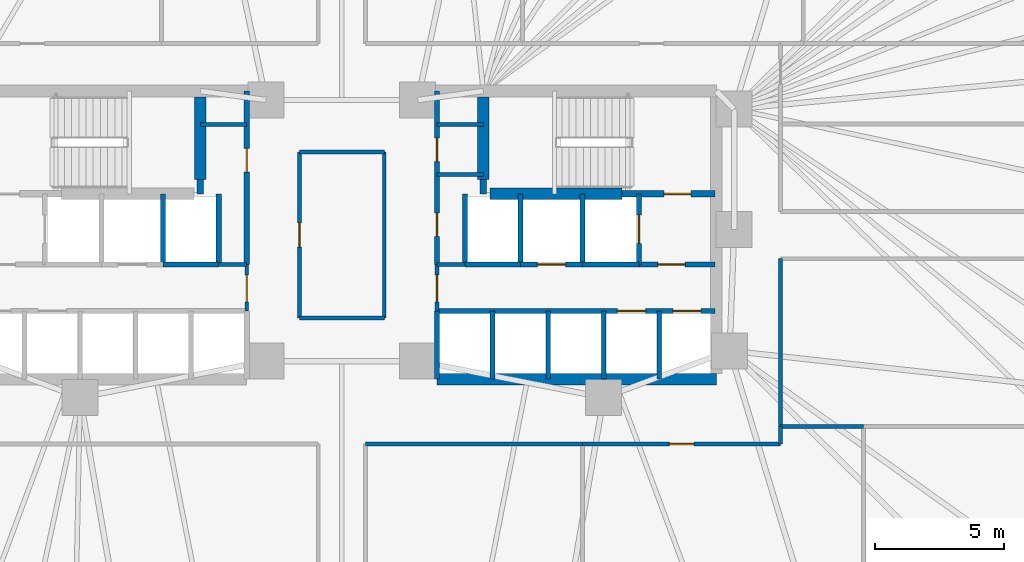
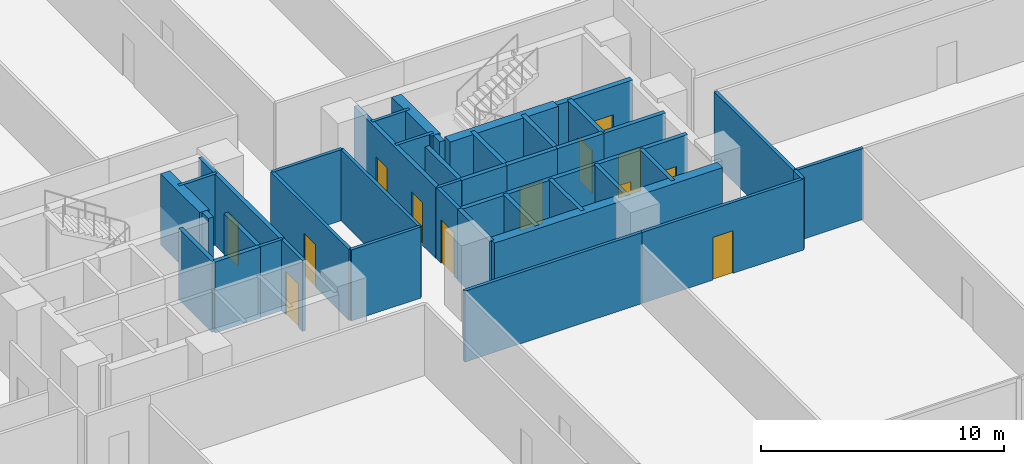
# One storey, part 13 of 17: 42 walls, 13 doors, 13 openings.
"""IFC4 building model written with IfcOpenShell, lengths in metres."""

from ifc_helpers import new_model, si_unit, direction, frame, frame_2d, origin, place, context, subcontext, project, spatial, rectangle, extrude, material, layer, layer_set, type_object, element, fill, save


model = new_model("IFC4")

# Units and contexts
model_context = context("Model", 3, precision=1e-05, world=origin(), true_north=direction((0.0, 1.0)))
body_context = subcontext(model_context, "Body", "Model", "MODEL_VIEW")
ifc_project = project(units=[si_unit("LENGTHUNIT", "METRE"), si_unit("AREAUNIT", "SQUARE_METRE"), si_unit("VOLUMEUNIT", "CUBIC_METRE"), si_unit("PLANEANGLEUNIT", "RADIAN"), si_unit("MASSUNIT", "GRAM", prefix="KILO")], contexts=[model_context])

# Site, building, storey
site_placement = place(None, origin())
site = spatial("IfcSite", under=ifc_project, at=site_placement, CompositionType="ELEMENT")
building_placement = place(site_placement, origin())
building = spatial("IfcBuilding", under=site, at=building_placement, Name="Menara Jurai Vektor", CompositionType="ELEMENT")
storey_placement = place(building_placement, frame((0.0, 0.0, 25.60009765625)))
storey = spatial("IfcBuildingStorey", under=building, at=storey_placement, Name="L05", CompositionType="ELEMENT", Elevation=25.60009765625)

# Wall
ifc_material_1 = material(Name="Concrete C40/50", Category="concrete")
ifc_layer_1 = layer(ifc_material_1, 0.25)
ifc_layer_set_1 = layer_set([ifc_layer_1], Name="Concrete C40/50")
wall_type_1 = type_object("IfcWallType", Name="INT-WALL-CORE-250", PredefinedType="STANDARD", material=ifc_layer_set_1)
wall_1_placement = place(storey_placement, frame((-5.5, 1.60009765625, 0.0), z_axis=(0.0, 0.0, 1.0), x_axis=(0.0, 1.0, 0.0)))
element("IfcWall", 1, at=wall_1_placement, inside=storey, type_object=wall_type_1, Name="Interior Wall IW-250 L05", PredefinedType="STANDARD", context=body_context, shape_type="SweptSolid", body=[
    extrude(rectangle(XDim=0.5498046875, YDim=0.25, at=frame_2d((0.27490234375, 0.0))), origin(), (0.0, 0.0, 1.0), 3.574951171875),
])

# Wall, opening, door
wall_2_placement = place(storey_placement, frame((10.89990234375, 1.60009765625, 0.0), z_axis=(0.0, 0.0, 1.0), x_axis=(1.0, 0.0, 0.0)))
wall_2 = element("IfcWall", 2, at=wall_2_placement, inside=storey, type_object=wall_type_1, Name="Interior Wall IW-250 L05", PredefinedType="STANDARD", context=body_context, shape_type="SweptSolid", body=[
    extrude(rectangle(XDim=3.60009765625, YDim=0.25, at=frame_2d((1.800048828125, 0.0))), origin(), (0.0, 0.0, 1.0), 3.574951171875),
])
opening_1_placement = place(wall_2_placement, frame((1.6201171875, 0.0, 0.0)))
opening_1 = element("IfcOpeningElement", 3, at=opening_1_placement, cuts=wall_2, Name="Opening D-L05-ST2", PredefinedType="OPENING", context=body_context, shape_type="SweptSolid", body=[
    extrude(rectangle(XDim=1.050048828125, YDim=2.14990234375, at=frame_2d((0.52490234375, 1.074951171875))), frame((0.0, 0.135009765625, 0.0), z_axis=(0.0, -1.0, 0.0), x_axis=(1.0, 0.0, 0.0)), (0.0, 0.0, 1.0), 0.27001953125),
])
ifc_material_2 = material(Name="Fire-Rated Steel Door", Category="steel")
door_type_1 = type_object("IfcDoorType", Name="DR-STAIR-1050", OperationType="NOTDEFINED", PredefinedType="DOOR", material=ifc_material_2)
door_1_placement = place(opening_1_placement, origin())
door_1 = element("IfcDoor", 4, at=door_1_placement, inside=storey, type_object=door_type_1, Name="Exit Stair ST2 Door L05", OperationType="SINGLE_SWING_LEFT", OverallHeight=2.14990234375, OverallWidth=1.050048828125, PredefinedType="DOOR", context=body_context, shape_type="SweptSolid", body=[
    extrude(rectangle(XDim=1.050048828125, YDim=2.14990234375, at=frame_2d((0.52490234375, 1.074951171875))), frame((0.0, 0.02490234375, 0.0), z_axis=(0.0, -1.0, 0.0), x_axis=(1.0, 0.0, 0.0)), (0.0, 0.0, 1.0), 0.050048828125),
])
fill(opening_1, door_1)

# Wall
wall_3_placement = place(storey_placement, frame((5.5, 1.60009765625, 0.0), z_axis=(0.0, 0.0, 1.0), x_axis=(0.0, 1.0, 0.0)))
element("IfcWall", 5, at=wall_3_placement, inside=storey, type_object=wall_type_1, Name="Interior Wall IW-250 L05", PredefinedType="STANDARD", context=body_context, shape_type="SweptSolid", body=[
    extrude(rectangle(XDim=0.5498046875, YDim=0.25, at=frame_2d((0.27490234375, 0.0))), origin(), (0.0, 0.0, 1.0), 3.574951171875),
])

# Wall, opening, door
wall_4_placement = place(storey_placement, frame((11.550048828125, -1.14990234375, 0.0), z_axis=(0.0, 0.0, 1.0), x_axis=(0.0, 1.0, 0.0)))
wall_4 = element("IfcWall", 6, at=wall_4_placement, inside=storey, type_object=wall_type_1, Name="Interior Wall IW-250 L05", PredefinedType="STANDARD", context=body_context, shape_type="SweptSolid", body=[
    extrude(rectangle(XDim=2.75, YDim=0.199951171875, at=frame_2d((1.375, 0.0))), origin(), (0.0, 0.0, 1.0), 3.574951171875),
])
opening_2_placement = place(wall_4_placement, frame((0.824951171875, 0.0, 0.0)))
opening_2 = element("IfcOpeningElement", 7, at=opening_2_placement, cuts=wall_4, Name="Opening LD-L05-FL2", PredefinedType="OPENING", context=body_context, shape_type="SweptSolid", body=[
    extrude(rectangle(XDim=1.10009765625, YDim=2.14990234375, at=frame_2d((0.550048828125, 1.074951171875))), frame((0.0, 0.10986328125, 0.0), z_axis=(0.0, -1.0, 0.0), x_axis=(1.0, 0.0, 0.0)), (0.0, 0.0, 1.0), 0.219970703125),
])
ifc_material_3 = material(Name="Stainless Steel Sliding Lift Landing Door", Category="steel")
door_type_2 = type_object("IfcDoorType", Name="DR-LIFT-FIRE-1100", OperationType="NOTDEFINED", PredefinedType="DOOR", material=ifc_material_3)
door_2_placement = place(opening_2_placement, origin())
door_2 = element("IfcDoor", 8, at=door_2_placement, inside=storey, type_object=door_type_2, Name="Lift Landing Door FL2 L05", OperationType="SLIDING_TO_RIGHT", OverallHeight=2.14990234375, OverallWidth=1.10009765625, PredefinedType="DOOR", context=body_context, shape_type="SweptSolid", body=[
    extrude(rectangle(XDim=1.10009765625, YDim=2.14990234375, at=frame_2d((0.550048828125, 1.074951171875))), frame((0.0, 0.02490234375, 0.0), z_axis=(0.0, -1.0, 0.0), x_axis=(1.0, 0.0, 0.0)), (0.0, 0.0, 1.0), 0.050048828125),
])
fill(opening_2, door_2)

# Wall
wall_5_placement = place(storey_placement, frame((9.35009765625, -1.14990234375, 0.0), z_axis=(0.0, 0.0, 1.0), x_axis=(0.0, 1.0, 0.0)))
element("IfcWall", 9, at=wall_5_placement, inside=storey, type_object=wall_type_1, Name="Interior Wall IW-250 L05", PredefinedType="STANDARD", context=body_context, shape_type="SweptSolid", body=[
    extrude(rectangle(XDim=2.75, YDim=0.199951171875, at=frame_2d((1.375, 0.0))), origin(), (0.0, 0.0, 1.0), 3.574951171875),
])

# Wall, opening, door
wall_6_placement = place(storey_placement, frame((11.550048828125, -1.14990234375, 0.0), z_axis=(0.0, 0.0, 1.0), x_axis=(1.0, 0.0, 0.0)))
wall_6 = element("IfcWall", 10, at=wall_6_placement, inside=storey, type_object=wall_type_1, Name="Interior Wall IW-250 L05", PredefinedType="STANDARD", context=body_context, shape_type="SweptSolid", body=[
    extrude(rectangle(XDim=2.949951171875, YDim=0.199951171875, at=frame_2d((1.47509765625, 0.0))), origin(), (0.0, 0.0, 1.0), 3.574951171875),
])
opening_3_placement = place(wall_6_placement, frame((0.75, 0.0, 0.0)))
opening_3 = element("IfcOpeningElement", 11, at=opening_3_placement, cuts=wall_6, Name="Opening D-L05-FFE", PredefinedType="OPENING", context=body_context, shape_type="SweptSolid", body=[
    extrude(rectangle(XDim=1.050048828125, YDim=2.179931640625, at=frame_2d((0.52490234375, 1.08984375))), frame((0.0, 0.10986328125, 0.0), z_axis=(0.0, -1.0, 0.0), x_axis=(1.0, 0.0, 0.0)), (0.0, 0.0, 1.0), 0.219970703125),
])
ifc_material_4 = material(Name="Fire-Rated Timber Door", Category="wood")
door_type_3 = type_object("IfcDoorType", Name="DR-LOBBY-1050", OperationType="NOTDEFINED", PredefinedType="DOOR", material=ifc_material_4)
door_3_placement = place(opening_3_placement, origin())
door_3 = element("IfcDoor", 12, at=door_3_placement, inside=storey, type_object=door_type_3, Name="Fire Lift Lobby Door E L05", OperationType="SINGLE_SWING_LEFT", OverallHeight=2.179931640625, OverallWidth=1.050048828125, PredefinedType="DOOR", context=body_context, shape_type="SweptSolid", body=[
    extrude(rectangle(XDim=1.050048828125, YDim=2.179931640625, at=frame_2d((0.52490234375, 1.08984375))), frame((0.0, 0.02490234375, 0.0), z_axis=(0.0, -1.0, 0.0), x_axis=(1.0, 0.0, 0.0)), (0.0, 0.0, 1.0), 0.050048828125),
])
fill(opening_3, door_3)

# Wall
wall_7_placement = place(storey_placement, frame((9.35009765625, -1.14990234375, 0.0), z_axis=(0.0, 0.0, 1.0), x_axis=(1.0, 0.0, 0.0)))
element("IfcWall", 13, at=wall_7_placement, inside=storey, type_object=wall_type_1, Name="Interior Wall IW-250 L05", PredefinedType="STANDARD", context=body_context, shape_type="SweptSolid", body=[
    extrude(rectangle(XDim=2.199951171875, YDim=0.199951171875, at=frame_2d((1.10009765625, 0.0))), origin(), (0.0, 0.0, 1.0), 3.574951171875),
])

# Wall, opening, door
ifc_material_5 = material(Name="Gypsum Fireboard Partition", Category="gypsum")
ifc_layer_2 = layer(ifc_material_5, 0.14990234375)
ifc_layer_set_2 = layer_set([ifc_layer_2], Name="Gypsum Fireboard Partition")
wall_type_2 = type_object("IfcWallType", Name="INT-WALL-CORR-150", PredefinedType="PARTITIONING", material=ifc_layer_set_2)
wall_8_placement = place(storey_placement, frame((-3.699951171875, -2.949951171875, 0.0), z_axis=(0.0, 0.0, 1.0), x_axis=(0.0, 1.0, 0.0)))
wall_8 = element("IfcWall", 14, at=wall_8_placement, inside=storey, type_object=wall_type_2, Name="Interior Wall IW-150 L05", PredefinedType="PARTITIONING", context=body_context, shape_type="SweptSolid", body=[
    extrude(rectangle(XDim=1.800048828125, YDim=0.14990234375, at=frame_2d((0.89990234375, 0.0))), origin(), (0.0, 0.0, 1.0), 3.574951171875),
])
opening_4_placement = place(wall_8_placement, frame((0.35009765625, 0.0, 0.0)))
opening_4 = element("IfcOpeningElement", 15, at=opening_4_placement, cuts=wall_8, Name="Opening D-L05-LLW", PredefinedType="OPENING", context=body_context, shape_type="SweptSolid", body=[
    extrude(rectangle(XDim=1.050048828125, YDim=2.179931640625, at=frame_2d((0.52490234375, 1.08984375))), frame((0.0, 0.0849609375, 0.0), z_axis=(0.0, -1.0, 0.0), x_axis=(1.0, 0.0, 0.0)), (0.0, 0.0, 1.0), 0.169921875),
])
door_4_placement = place(opening_4_placement, origin())
door_4 = element("IfcDoor", 16, at=door_4_placement, inside=storey, type_object=door_type_3, Name="Lift Lobby Corridor Door W L05", OperationType="SINGLE_SWING_LEFT", OverallHeight=2.179931640625, OverallWidth=1.050048828125, PredefinedType="DOOR", context=body_context, shape_type="SweptSolid", body=[
    extrude(rectangle(XDim=1.050048828125, YDim=2.179931640625, at=frame_2d((0.52490234375, 1.08984375))), frame((0.0, 0.02490234375, 0.0), z_axis=(0.0, -1.0, 0.0), x_axis=(1.0, 0.0, 0.0)), (0.0, 0.0, 1.0), 0.050048828125),
])
fill(opening_4, door_4)

# Wall
wall_9_placement = place(storey_placement, frame((-4.7900390625, -1.14990234375, 0.0), z_axis=(0.0, 0.0, 1.0), x_axis=(1.0, 0.0, 0.0)))
element("IfcWall", 17, at=wall_9_placement, inside=storey, type_object=wall_type_2, Name="Interior Wall IW-150 L05", PredefinedType="PARTITIONING", context=body_context, shape_type="SweptSolid", body=[
    extrude(rectangle(XDim=1.090087890625, YDim=0.14990234375, at=frame_2d((0.544921875, 0.0))), origin(), (0.0, 0.0, 1.0), 3.574951171875),
])

# Wall, opening, door
wall_10_placement = place(storey_placement, frame((3.699951171875, -2.949951171875, 0.0), z_axis=(0.0, 0.0, 1.0), x_axis=(0.0, 1.0, 0.0)))
wall_10 = element("IfcWall", 18, at=wall_10_placement, inside=storey, type_object=wall_type_2, Name="Interior Wall IW-150 L05", PredefinedType="PARTITIONING", context=body_context, shape_type="SweptSolid", body=[
    extrude(rectangle(XDim=1.800048828125, YDim=0.14990234375, at=frame_2d((0.89990234375, 0.0))), origin(), (0.0, 0.0, 1.0), 3.574951171875),
])
opening_5_placement = place(wall_10_placement, frame((0.35009765625, 0.0, 0.0)))
opening_5 = element("IfcOpeningElement", 19, at=opening_5_placement, cuts=wall_10, Name="Opening D-L05-LLE", PredefinedType="OPENING", context=body_context, shape_type="SweptSolid", body=[
    extrude(rectangle(XDim=1.050048828125, YDim=2.179931640625, at=frame_2d((0.52490234375, 1.08984375))), frame((0.0, 0.0849609375, 0.0), z_axis=(0.0, -1.0, 0.0), x_axis=(1.0, 0.0, 0.0)), (0.0, 0.0, 1.0), 0.169921875),
])
door_5_placement = place(opening_5_placement, frame((1.050048828125, 0.0, 0.0), z_axis=(0.0, 0.0, 1.0), x_axis=(-1.0, 0.0, 0.0)))
door_5 = element("IfcDoor", 20, at=door_5_placement, inside=storey, type_object=door_type_3, Name="Lift Lobby Corridor Door E L05", OperationType="SINGLE_SWING_RIGHT", OverallHeight=2.179931640625, OverallWidth=1.050048828125, PredefinedType="DOOR", context=body_context, shape_type="SweptSolid", body=[
    extrude(rectangle(XDim=1.050048828125, YDim=2.179931640625, at=frame_2d((0.52490234375, 1.08984375))), frame((0.0, 0.02490234375, 0.0), z_axis=(0.0, -1.0, 0.0), x_axis=(1.0, 0.0, 0.0)), (0.0, 0.0, 1.0), 0.050048828125),
])
fill(opening_5, door_5)

# Walls
wall_11_placement = place(storey_placement, frame((3.699951171875, -1.14990234375, 0.0), z_axis=(0.0, 0.0, 1.0), x_axis=(1.0, 0.0, 0.0)))
element("IfcWall", 21, at=wall_11_placement, inside=storey, type_object=wall_type_2, Name="Interior Wall IW-150 L05", PredefinedType="PARTITIONING", context=body_context, shape_type="SweptSolid", body=[
    extrude(rectangle(XDim=1.090087890625, YDim=0.14990234375, at=frame_2d((0.544921875, 0.0))), origin(), (0.0, 0.0, 1.0), 3.574951171875),
])
for number, where, z_axis, x_axis, name in (
    (22, (-5.5, 4.300048828125, 0.0), (0.0, 0.0, 1.0), (1.0, 0.0, 0.0), "Interior Wall IW-150 L05"),
    (23, (3.699951171875, 4.300048828125, 0.0), (0.0, 0.0, 1.0), (1.0, 0.0, 0.0), "Interior Wall IW-150 L05"),
    (24, (3.699951171875, 2.35009765625, 0.0), (0.0, 0.0, 1.0), (1.0, 0.0, 0.0), "Interior Wall IW-150 L05"),
):
    element("IfcWall", number, at=place(storey_placement, frame(where, z_axis=z_axis, x_axis=x_axis)), inside=storey, type_object=wall_type_2, Name=name, PredefinedType="PARTITIONING", context=body_context, shape_type="SweptSolid", body=[
        extrude(rectangle(XDim=1.800048828125, YDim=0.14990234375, at=frame_2d((0.89990234375, 0.0))), origin(), (0.0, 0.0, 1.0), 3.574951171875),
    ])

# Wall, opening, door
wall_12_placement = place(storey_placement, frame((-1.64990234375, -3.22998046875, 0.0), z_axis=(0.0, 0.0, 1.0), x_axis=(0.0, 1.0, 0.0)))
wall_12 = element("IfcWall", 25, at=wall_12_placement, inside=storey, type_object=wall_type_2, Name="Interior Wall IW-150 L05", PredefinedType="PARTITIONING", context=body_context, shape_type="SweptSolid", body=[
    extrude(rectangle(XDim=6.4599609375, YDim=0.14990234375, at=frame_2d((3.22998046875, 0.0))), origin(), (0.0, 0.0, 1.0), 3.574951171875),
])
opening_6_placement = place(wall_12_placement, frame((2.7548828125, 0.0, 0.0)))
opening_6 = element("IfcOpeningElement", 26, at=opening_6_placement, cuts=wall_12, Name="Opening D05-04", PredefinedType="OPENING", context=body_context, shape_type="SweptSolid", body=[
    extrude(rectangle(XDim=0.949951171875, YDim=2.14990234375, at=frame_2d((0.47509765625, 1.074951171875))), frame((0.0, 0.0849609375, 0.0), z_axis=(0.0, -1.0, 0.0), x_axis=(1.0, 0.0, 0.0)), (0.0, 0.0, 1.0), 0.169921875),
])
ifc_material_6 = material(Name="Solid Core Timber Fire Door", Category="wood")
door_type_4 = type_object("IfcDoorType", Name="DR-ENTRY-950", OperationType="NOTDEFINED", PredefinedType="DOOR", material=ifc_material_6)
door_6_placement = place(opening_6_placement, origin())
door_6 = element("IfcDoor", 27, at=door_6_placement, inside=storey, type_object=door_type_4, Name="Interior Door D05-04", OperationType="SINGLE_SWING_LEFT", OverallHeight=2.14990234375, OverallWidth=0.949951171875, PredefinedType="DOOR", context=body_context, shape_type="SweptSolid", body=[
    extrude(rectangle(XDim=0.949951171875, YDim=2.14990234375, at=frame_2d((0.47509765625, 1.074951171875))), frame((0.0, 0.02490234375, 0.0), z_axis=(0.0, -1.0, 0.0), x_axis=(1.0, 0.0, 0.0)), (0.0, 0.0, 1.0), 0.050048828125),
])
fill(opening_6, door_6)

# Walls
for number, where, z_axis, x_axis, name in (
    (28, (-1.64990234375, -3.22998046875, 0.0), (0.0, 0.0, 1.0), (1.0, 0.0, 0.0), "Interior Wall IW-150 L05"),
    (29, (-1.64990234375, 3.22998046875, 0.0), (0.0, 0.0, 1.0), (1.0, 0.0, 0.0), "Interior Wall IW-150 L05"),
):
    element("IfcWall", number, at=place(storey_placement, frame(where, z_axis=z_axis, x_axis=x_axis)), inside=storey, type_object=wall_type_2, Name=name, PredefinedType="PARTITIONING", context=body_context, shape_type="SweptSolid", body=[
        extrude(rectangle(XDim=3.2998046875, YDim=0.14990234375, at=frame_2d((1.64990234375, 0.0))), origin(), (0.0, 0.0, 1.0), 3.574951171875),
    ])
wall_13_placement = place(storey_placement, frame((1.64990234375, -3.22998046875, 0.0), z_axis=(0.0, 0.0, 1.0), x_axis=(0.0, 1.0, 0.0)))
element("IfcWall", 30, at=wall_13_placement, inside=storey, type_object=wall_type_2, Name="Interior Wall IW-150 L05", PredefinedType="PARTITIONING", context=body_context, shape_type="SweptSolid", body=[
    extrude(rectangle(XDim=6.4599609375, YDim=0.14990234375, at=frame_2d((3.22998046875, 0.0))), origin(), (0.0, 0.0, 1.0), 3.574951171875),
])
wall_14_placement = place(storey_placement, frame((0.919921875, -8.1298828125, 0.0), z_axis=(0.0, 0.0, 1.0), x_axis=(1.0, 0.0, 0.0)))
element("IfcWall", 31, at=wall_14_placement, inside=storey, type_object=wall_type_2, Name="Interior Wall IW-150 L05", PredefinedType="PARTITIONING", context=body_context, shape_type="SweptSolid", body=[
    extrude(rectangle(XDim=8.440185546875, YDim=0.14990234375, at=frame_2d((4.22021484375, 0.0))), origin(), (0.0, 0.0, 1.0), 3.574951171875),
])

# Wall, opening, door
wall_15_placement = place(storey_placement, frame((9.360107421875, -8.1298828125, 0.0), z_axis=(0.0, 0.0, 1.0), x_axis=(1.0, 0.0, 0.0)))
wall_15 = element("IfcWall", 32, at=wall_15_placement, inside=storey, type_object=wall_type_2, Name="Interior Wall IW-150 L05", PredefinedType="PARTITIONING", context=body_context, shape_type="SweptSolid", body=[
    extrude(rectangle(XDim=7.698974609375, YDim=0.14990234375, at=frame_2d((3.849609375, 0.0))), origin(), (0.0, 0.0, 1.0), 3.574951171875),
])
opening_7_placement = place(wall_15_placement, frame((3.37451171875, 0.0, 0.0)))
opening_7 = element("IfcOpeningElement", 33, at=opening_7_placement, cuts=wall_15, Name="Opening D05-12", PredefinedType="OPENING", context=body_context, shape_type="SweptSolid", body=[
    extrude(rectangle(XDim=0.949951171875, YDim=2.14990234375, at=frame_2d((0.47509765625, 1.074951171875))), frame((0.0, 0.0849609375, 0.0), z_axis=(0.0, -1.0, 0.0), x_axis=(1.0, 0.0, 0.0)), (0.0, 0.0, 1.0), 0.169921875),
])
door_7_placement = place(opening_7_placement, origin())
door_7 = element("IfcDoor", 34, at=door_7_placement, inside=storey, type_object=door_type_4, Name="Interior Door D05-12", OperationType="SINGLE_SWING_LEFT", OverallHeight=2.14990234375, OverallWidth=0.949951171875, PredefinedType="DOOR", context=body_context, shape_type="SweptSolid", body=[
    extrude(rectangle(XDim=0.949951171875, YDim=2.14990234375, at=frame_2d((0.47509765625, 1.074951171875))), frame((0.0, 0.02490234375, 0.0), z_axis=(0.0, -1.0, 0.0), x_axis=(1.0, 0.0, 0.0)), (0.0, 0.0, 1.0), 0.050048828125),
])
fill(opening_7, door_7)

# Walls
wall_16_placement = place(storey_placement, frame((17.05908203125, -8.1298828125, 0.0), z_axis=(0.0, 0.0, 1.0), x_axis=(0.0, 1.0, 0.0)))
element("IfcWall", 35, at=wall_16_placement, inside=storey, type_object=wall_type_2, Name="Interior Wall IW-150 L05", PredefinedType="PARTITIONING", context=body_context, shape_type="SweptSolid", body=[
    extrude(rectangle(XDim=0.679931640625, YDim=0.14990234375, at=frame_2d((0.33984375, 0.0))), origin(), (0.0, 0.0, 1.0), 3.574951171875),
])
wall_17_placement = place(storey_placement, frame((17.05908203125, -7.449951171875, 0.0), z_axis=(0.0, 0.0, 1.0), x_axis=(0.0, 1.0, 0.0)))
element("IfcWall", 36, at=wall_17_placement, inside=storey, type_object=wall_type_2, Name="Interior Wall IW-150 L05", PredefinedType="PARTITIONING", context=body_context, shape_type="SweptSolid", body=[
    extrude(rectangle(XDim=6.530029296875, YDim=0.14990234375, at=frame_2d((3.26513671875, 0.0))), origin(), (0.0, 0.0, 1.0), 3.574951171875),
])
wall_18_placement = place(storey_placement, frame((17.05908203125, -7.449951171875, 0.0), z_axis=(0.0, 0.0, 1.0), x_axis=(1.0, 0.0, 0.0)))
element("IfcWall", 37, at=wall_18_placement, inside=storey, type_object=wall_type_2, Name="Interior Wall IW-150 L05", PredefinedType="PARTITIONING", context=body_context, shape_type="SweptSolid", body=[
    extrude(rectangle(XDim=3.220947265625, YDim=0.14990234375, at=frame_2d((1.6103515625, 0.0))), origin(), (0.0, 0.0, 1.0), 3.574951171875),
])

# Wall, opening, door
ifc_layer_3 = layer(ifc_material_1, 0.199951171875)
ifc_layer_set_3 = layer_set([ifc_layer_3], Name="Concrete C40/50")
wall_type_3 = type_object("IfcWallType", Name="INT-WALL-SHAFT-200", PredefinedType="STANDARD", material=ifc_layer_set_3)
wall_19_placement = place(storey_placement, frame((-3.699951171875, -1.14990234375, 0.0), z_axis=(0.0, 0.0, 1.0), x_axis=(0.0, 1.0, 0.0)))
wall_19 = element("IfcWall", 38, at=wall_19_placement, inside=storey, type_object=wall_type_3, Name="Interior Wall IW-200 L05", PredefinedType="STANDARD", context=body_context, shape_type="SweptSolid", body=[
    extrude(rectangle(XDim=6.75, YDim=0.199951171875, at=frame_2d((3.375, 0.0))), origin(), (0.0, 0.0, 1.0), 3.574951171875),
])
opening_8_placement = place(wall_19_placement, frame((3.60009765625, 0.0, 0.0)))
opening_8 = element("IfcOpeningElement", 39, at=opening_8_placement, cuts=wall_19, Name="Opening D05-01", PredefinedType="OPENING", context=body_context, shape_type="SweptSolid", body=[
    extrude(rectangle(XDim=0.919921875, YDim=2.14990234375, at=frame_2d((0.4599609375, 1.074951171875))), frame((0.0, 0.10986328125, 0.0), z_axis=(0.0, -1.0, 0.0), x_axis=(1.0, 0.0, 0.0)), (0.0, 0.0, 1.0), 0.219970703125),
])
door_8_placement = place(opening_8_placement, origin())
door_8 = element("IfcDoor", 40, at=door_8_placement, inside=storey, type_object=door_type_4, Name="Interior Door D05-01", OperationType="SINGLE_SWING_LEFT", OverallHeight=2.14990234375, OverallWidth=0.919921875, PredefinedType="DOOR", context=body_context, shape_type="SweptSolid", body=[
    extrude(rectangle(XDim=0.919921875, YDim=2.14990234375, at=frame_2d((0.4599609375, 1.074951171875))), frame((0.0, 0.02490234375, 0.0), z_axis=(0.0, -1.0, 0.0), x_axis=(1.0, 0.0, 0.0)), (0.0, 0.0, 1.0), 0.050048828125),
])
fill(opening_8, door_8)

# Walls
for number, where, z_axis, x_axis, name in (
    (41, (-6.949951171875, -1.14990234375, 0.0), (0.0, 0.0, 1.0), (0.0, 1.0, 0.0), "Interior Wall IW-200 L05"),
    (42, (-4.7900390625, -1.14990234375, 0.0), (0.0, 0.0, 1.0), (0.0, 1.0, 0.0), "Interior Wall IW-200 L05"),
):
    element("IfcWall", number, at=place(storey_placement, frame(where, z_axis=z_axis, x_axis=x_axis)), inside=storey, type_object=wall_type_3, Name=name, PredefinedType="STANDARD", context=body_context, shape_type="SweptSolid", body=[
        extrude(rectangle(XDim=2.75, YDim=0.199951171875, at=frame_2d((1.375, 0.0))), origin(), (0.0, 0.0, 1.0), 3.574951171875),
    ])
wall_20_placement = place(storey_placement, frame((-6.949951171875, -1.14990234375, 0.0), z_axis=(0.0, 0.0, 1.0), x_axis=(1.0, 0.0, 0.0)))
element("IfcWall", 43, at=wall_20_placement, inside=storey, type_object=wall_type_3, Name="Interior Wall IW-200 L05", PredefinedType="STANDARD", context=body_context, shape_type="SweptSolid", body=[
    extrude(rectangle(XDim=2.159912109375, YDim=0.199951171875, at=frame_2d((1.080078125, 0.0))), origin(), (0.0, 0.0, 1.0), 3.574951171875),
])

# Wall, openings, doors
wall_21_placement = place(storey_placement, frame((3.699951171875, -1.14990234375, 0.0), z_axis=(0.0, 0.0, 1.0), x_axis=(0.0, 1.0, 0.0)))
wall_21 = element("IfcWall", 44, at=wall_21_placement, inside=storey, type_object=wall_type_3, Name="Interior Wall IW-200 L05", PredefinedType="STANDARD", context=body_context, shape_type="SweptSolid", body=[
    extrude(rectangle(XDim=6.75, YDim=0.199951171875, at=frame_2d((3.375, 0.0))), origin(), (0.0, 0.0, 1.0), 3.574951171875),
])
opening_9_placement = place(wall_21_placement, frame((1.10009765625, 0.0, 0.0)))
opening_9 = element("IfcOpeningElement", 45, at=opening_9_placement, cuts=wall_21, Name="Opening D05-02", PredefinedType="OPENING", context=body_context, shape_type="SweptSolid", body=[
    extrude(rectangle(XDim=0.89990234375, YDim=2.14990234375, at=frame_2d((0.449951171875, 1.074951171875))), frame((0.0, 0.10986328125, 0.0), z_axis=(0.0, -1.0, 0.0), x_axis=(1.0, 0.0, 0.0)), (0.0, 0.0, 1.0), 0.219970703125),
])
opening_10_placement = place(wall_21_placement, frame((4.0, 0.0, 0.0)))
opening_10 = element("IfcOpeningElement", 46, at=opening_10_placement, cuts=wall_21, Name="Opening D05-03", PredefinedType="OPENING", context=body_context, shape_type="SweptSolid", body=[
    extrude(rectangle(XDim=0.919921875, YDim=2.14990234375, at=frame_2d((0.4599609375, 1.074951171875))), frame((0.0, 0.10986328125, 0.0), z_axis=(0.0, -1.0, 0.0), x_axis=(1.0, 0.0, 0.0)), (0.0, 0.0, 1.0), 0.219970703125),
])
door_9_placement = place(opening_9_placement, origin())
door_9 = element("IfcDoor", 47, at=door_9_placement, inside=storey, type_object=door_type_4, Name="Interior Door D05-02", OperationType="SINGLE_SWING_RIGHT", OverallHeight=2.14990234375, OverallWidth=0.89990234375, PredefinedType="DOOR", context=body_context, shape_type="SweptSolid", body=[
    extrude(rectangle(XDim=0.89990234375, YDim=2.14990234375, at=frame_2d((0.449951171875, 1.074951171875))), frame((0.0, 0.02490234375, 0.0), z_axis=(0.0, -1.0, 0.0), x_axis=(1.0, 0.0, 0.0)), (0.0, 0.0, 1.0), 0.050048828125),
])
fill(opening_9, door_9)
door_10_placement = place(opening_10_placement, origin())
door_10 = element("IfcDoor", 48, at=door_10_placement, inside=storey, type_object=door_type_4, Name="Interior Door D05-03", OperationType="SINGLE_SWING_RIGHT", OverallHeight=2.14990234375, OverallWidth=0.919921875, PredefinedType="DOOR", context=body_context, shape_type="SweptSolid", body=[
    extrude(rectangle(XDim=0.919921875, YDim=2.14990234375, at=frame_2d((0.4599609375, 1.074951171875))), frame((0.0, 0.02490234375, 0.0), z_axis=(0.0, -1.0, 0.0), x_axis=(1.0, 0.0, 0.0)), (0.0, 0.0, 1.0), 0.050048828125),
])
fill(opening_10, door_10)

# Walls
wall_22_placement = place(storey_placement, frame((3.699951171875, -5.60009765625, 0.0), z_axis=(0.0, 0.0, 1.0), x_axis=(0.0, 1.0, 0.0)))
element("IfcWall", 49, at=wall_22_placement, inside=storey, type_object=wall_type_3, Name="Interior Wall IW-200 L05", PredefinedType="STANDARD", context=body_context, shape_type="SweptSolid", body=[
    extrude(rectangle(XDim=2.650146484375, YDim=0.199951171875, at=frame_2d((1.3251953125, 0.0))), origin(), (0.0, 0.0, 1.0), 3.574951171875),
])
wall_23_placement = place(storey_placement, frame((6.949951171875, -1.14990234375, 0.0), z_axis=(0.0, 0.0, 1.0), x_axis=(0.0, 1.0, 0.0)))
element("IfcWall", 50, at=wall_23_placement, inside=storey, type_object=wall_type_3, Name="Interior Wall IW-200 L05", PredefinedType="STANDARD", context=body_context, shape_type="SweptSolid", body=[
    extrude(rectangle(XDim=2.75, YDim=0.199951171875, at=frame_2d((1.375, 0.0))), origin(), (0.0, 0.0, 1.0), 3.574951171875),
])

# Wall, opening, door
wall_24_placement = place(storey_placement, frame((6.949951171875, -1.14990234375, 0.0), z_axis=(0.0, 0.0, 1.0), x_axis=(1.0, 0.0, 0.0)))
wall_24 = element("IfcWall", 51, at=wall_24_placement, inside=storey, type_object=wall_type_3, Name="Interior Wall IW-200 L05", PredefinedType="STANDARD", context=body_context, shape_type="SweptSolid", body=[
    extrude(rectangle(XDim=2.400146484375, YDim=0.199951171875, at=frame_2d((1.2001953125, 0.0))), origin(), (0.0, 0.0, 1.0), 3.574951171875),
])
opening_11_placement = place(wall_24_placement, frame((0.64990234375, 0.0, 0.0)))
opening_11 = element("IfcOpeningElement", 52, at=opening_11_placement, cuts=wall_24, Name="Opening LD-L05-SVL2", PredefinedType="OPENING", context=body_context, shape_type="SweptSolid", body=[
    extrude(rectangle(XDim=1.10009765625, YDim=2.14990234375, at=frame_2d((0.550048828125, 1.074951171875))), frame((0.0, 0.10986328125, 0.0), z_axis=(0.0, -1.0, 0.0), x_axis=(1.0, 0.0, 0.0)), (0.0, 0.0, 1.0), 0.219970703125),
])
ifc_material_7 = material(Name="Anodised Stainless Sliding Lift Landing Door", Category="steel")
door_type_5 = type_object("IfcDoorType", Name="DR-LIFT-PASS-1100", OperationType="NOTDEFINED", PredefinedType="DOOR", material=ifc_material_7)
door_11_placement = place(opening_11_placement, origin())
door_11 = element("IfcDoor", 53, at=door_11_placement, inside=storey, type_object=door_type_5, Name="Lift Landing Door SVL2 L05", OperationType="SLIDING_TO_RIGHT", OverallHeight=2.14990234375, OverallWidth=1.10009765625, PredefinedType="DOOR", context=body_context, shape_type="SweptSolid", body=[
    extrude(rectangle(XDim=1.10009765625, YDim=2.14990234375, at=frame_2d((0.550048828125, 1.074951171875))), frame((0.0, 0.02490234375, 0.0), z_axis=(0.0, -1.0, 0.0), x_axis=(1.0, 0.0, 0.0)), (0.0, 0.0, 1.0), 0.050048828125),
])
fill(opening_11, door_11)

# Walls
wall_25_placement = place(storey_placement, frame((4.7900390625, -1.14990234375, 0.0), z_axis=(0.0, 0.0, 1.0), x_axis=(0.0, 1.0, 0.0)))
element("IfcWall", 54, at=wall_25_placement, inside=storey, type_object=wall_type_3, Name="Interior Wall IW-200 L05", PredefinedType="STANDARD", context=body_context, shape_type="SweptSolid", body=[
    extrude(rectangle(XDim=2.75, YDim=0.199951171875, at=frame_2d((1.375, 0.0))), origin(), (0.0, 0.0, 1.0), 3.574951171875),
])
wall_26_placement = place(storey_placement, frame((4.7900390625, -1.14990234375, 0.0), z_axis=(0.0, 0.0, 1.0), x_axis=(1.0, 0.0, 0.0)))
element("IfcWall", 55, at=wall_26_placement, inside=storey, type_object=wall_type_3, Name="Interior Wall IW-200 L05", PredefinedType="STANDARD", context=body_context, shape_type="SweptSolid", body=[
    extrude(rectangle(XDim=2.159912109375, YDim=0.199951171875, at=frame_2d((1.080078125, 0.0))), origin(), (0.0, 0.0, 1.0), 3.574951171875),
])

# Wall, openings, doors
wall_27_placement = place(storey_placement, frame((3.699951171875, -2.949951171875, 0.0), z_axis=(0.0, 0.0, 1.0), x_axis=(1.0, 0.0, 0.0)))
wall_27 = element("IfcWall", 56, at=wall_27_placement, inside=storey, type_object=wall_type_3, Name="Interior Wall IW-200 L05", PredefinedType="STANDARD", context=body_context, shape_type="SweptSolid", body=[
    extrude(rectangle(XDim=10.800048828125, YDim=0.199951171875, at=frame_2d((5.39990234375, 0.0))), origin(), (0.0, 0.0, 1.0), 3.574951171875),
])
opening_12_placement = place(wall_27_placement, frame((7.010009765625, 0.0, 0.0)))
opening_12 = element("IfcOpeningElement", 57, at=opening_12_placement, cuts=wall_27, Name="Opening LD-L05-PL3", PredefinedType="OPENING", context=body_context, shape_type="SweptSolid", body=[
    extrude(rectangle(XDim=1.10009765625, YDim=2.14990234375, at=frame_2d((0.550048828125, 1.074951171875))), frame((0.0, 0.10986328125, 0.0), z_axis=(0.0, -1.0, 0.0), x_axis=(1.0, 0.0, 0.0)), (0.0, 0.0, 1.0), 0.219970703125),
])
opening_13_placement = place(wall_27_placement, frame((9.169921875, 0.0, 0.0)))
opening_13 = element("IfcOpeningElement", 58, at=opening_13_placement, cuts=wall_27, Name="Opening LD-L05-PL4", PredefinedType="OPENING", context=body_context, shape_type="SweptSolid", body=[
    extrude(rectangle(XDim=1.10009765625, YDim=2.14990234375, at=frame_2d((0.550048828125, 1.074951171875))), frame((0.0, 0.10986328125, 0.0), z_axis=(0.0, -1.0, 0.0), x_axis=(1.0, 0.0, 0.0)), (0.0, 0.0, 1.0), 0.219970703125),
])
door_12_placement = place(opening_12_placement, origin())
door_12 = element("IfcDoor", 59, at=door_12_placement, inside=storey, type_object=door_type_5, Name="Lift Landing Door PL3 L05", OperationType="SLIDING_TO_RIGHT", OverallHeight=2.14990234375, OverallWidth=1.10009765625, PredefinedType="DOOR", context=body_context, shape_type="SweptSolid", body=[
    extrude(rectangle(XDim=1.10009765625, YDim=2.14990234375, at=frame_2d((0.550048828125, 1.074951171875))), frame((0.0, 0.02490234375, 0.0), z_axis=(0.0, -1.0, 0.0), x_axis=(1.0, 0.0, 0.0)), (0.0, 0.0, 1.0), 0.050048828125),
])
fill(opening_12, door_12)
door_13_placement = place(opening_13_placement, origin())
door_13 = element("IfcDoor", 60, at=door_13_placement, inside=storey, type_object=door_type_5, Name="Lift Landing Door PL4 L05", OperationType="SLIDING_TO_LEFT", OverallHeight=2.14990234375, OverallWidth=1.10009765625, PredefinedType="DOOR", context=body_context, shape_type="SweptSolid", body=[
    extrude(rectangle(XDim=1.10009765625, YDim=2.14990234375, at=frame_2d((0.550048828125, 1.074951171875))), frame((0.0, 0.02490234375, 0.0), z_axis=(0.0, -1.0, 0.0), x_axis=(1.0, 0.0, 0.0)), (0.0, 0.0, 1.0), 0.050048828125),
])
fill(opening_13, door_13)

# Walls
wall_28_placement = place(storey_placement, frame((5.860107421875, -5.60009765625, 0.0), z_axis=(0.0, 0.0, 1.0), x_axis=(0.0, 1.0, 0.0)))
element("IfcWall", 61, at=wall_28_placement, inside=storey, type_object=wall_type_3, Name="Interior Wall IW-200 L05", PredefinedType="STANDARD", context=body_context, shape_type="SweptSolid", body=[
    extrude(rectangle(XDim=2.650146484375, YDim=0.199951171875, at=frame_2d((1.3251953125, 0.0))), origin(), (0.0, 0.0, 1.0), 3.574951171875),
])
for number, where, z_axis, x_axis, name in (
    (62, (12.340087890625, -5.60009765625, 0.0), (0.0, 0.0, 1.0), (0.0, 1.0, 0.0), "Interior Wall IW-200 L05"),
    (63, (10.179931640625, -5.60009765625, 0.0), (0.0, 0.0, 1.0), (0.0, 1.0, 0.0), "Interior Wall IW-200 L05"),
    (64, (8.02001953125, -5.60009765625, 0.0), (0.0, 0.0, 1.0), (0.0, 1.0, 0.0), "Interior Wall IW-200 L05"),
):
    element("IfcWall", number, at=place(storey_placement, frame(where, z_axis=z_axis, x_axis=x_axis)), inside=storey, type_object=wall_type_3, Name=name, PredefinedType="STANDARD", context=body_context, shape_type="SweptSolid", body=[
        extrude(rectangle(XDim=2.650146484375, YDim=0.179931640625, at=frame_2d((1.3251953125, 0.0))), origin(), (0.0, 0.0, 1.0), 3.574951171875),
    ])
ifc_material_8 = material(Name="Concrete C60/75", Category="concrete")
ifc_layer_4 = layer(ifc_material_8, 0.449951171875)
ifc_layer_set_4 = layer_set([ifc_layer_4], Name="Concrete C60/75")
wall_type_4 = type_object("IfcWallType", Name="STR-WALL-CORE450", PredefinedType="SHEAR", material=ifc_layer_set_4)
wall_29_placement = place(storey_placement, frame((-5.5, 2.14990234375, 0.0), z_axis=(0.0, 0.0, 1.0), x_axis=(0.0, 1.0, 0.0)))
element("IfcWall", 65, at=wall_29_placement, inside=storey, type_object=wall_type_4, Name="Core Shear Wall CW-W-ST L05", PredefinedType="SHEAR", context=body_context, shape_type="SweptSolid", body=[
    extrude(rectangle(XDim=3.22509765625, YDim=0.449951171875, at=frame_2d((1.612548828125, 0.0))), origin(), (0.0, 0.0, 1.0), 3.574951171875),
])
wall_30_placement = place(storey_placement, frame((3.699951171875, -5.60009765625, 0.0), z_axis=(0.0, 0.0, 1.0), x_axis=(1.0, 0.0, 0.0)))
element("IfcWall", 66, at=wall_30_placement, inside=storey, type_object=wall_type_4, Name="Core Shear Wall CW-E-S L05", PredefinedType="SHEAR", context=body_context, shape_type="SweptSolid", body=[
    extrude(rectangle(XDim=10.860107421875, YDim=0.449951171875, at=frame_2d((5.43017578125, 0.0))), origin(), (0.0, 0.0, 1.0), 3.574951171875),
])
wall_31_placement = place(storey_placement, frame((5.5, 2.14990234375, 0.0), z_axis=(0.0, 0.0, 1.0), x_axis=(0.0, 1.0, 0.0)))
element("IfcWall", 67, at=wall_31_placement, inside=storey, type_object=wall_type_4, Name="Core Shear Wall CW-E-ST L05", PredefinedType="SHEAR", context=body_context, shape_type="SweptSolid", body=[
    extrude(rectangle(XDim=3.22509765625, YDim=0.449951171875, at=frame_2d((1.612548828125, 0.0))), origin(), (0.0, 0.0, 1.0), 3.574951171875),
])
wall_32_placement = place(storey_placement, frame((5.75, 1.60009765625, 0.0), z_axis=(0.0, 0.0, 1.0), x_axis=(1.0, 0.0, 0.0)))
element("IfcWall", 68, at=wall_32_placement, inside=storey, type_object=wall_type_4, Name="Core Shear Wall CW-E-STS L05", PredefinedType="SHEAR", context=body_context, shape_type="SweptSolid", body=[
    extrude(rectangle(XDim=5.14990234375, YDim=0.449951171875, at=frame_2d((2.574951171875, 0.0))), origin(), (0.0, 0.0, 1.0), 3.574951171875),
])

save(model, "model.ifc")
